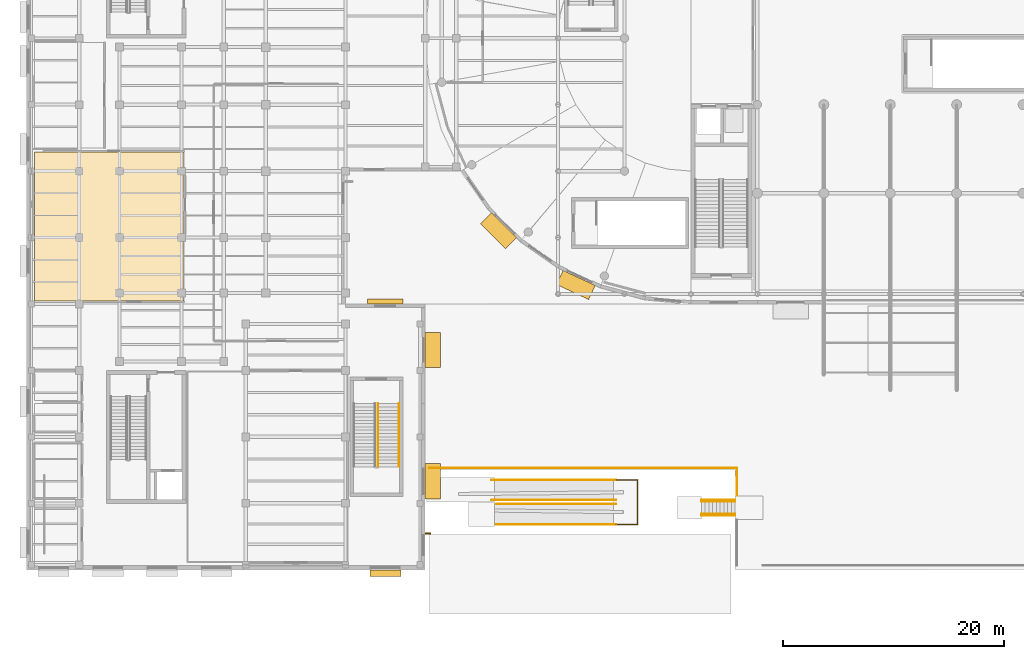
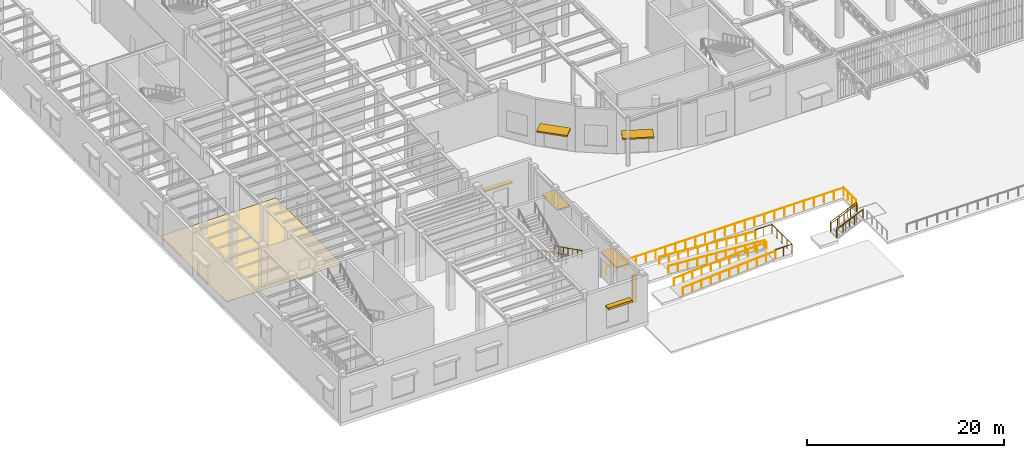
# One storey, part 100 of 118: 12 railings, 7 shading devices, 1 covering, 2 elements without a shape of their own.
"""IFC4 building model written with IfcOpenShell, lengths in metres."""

from ifc_helpers import new_model, si_unit, direction, frame, origin, origin_2d, place, context, subcontext, project, spatial, polyline, rectangle, circle, outline, extrude, material, layer, layer_set, type_object, element, aggregate, save


model = new_model("IFC4")

# Units and contexts
model_context = context("Model", 3, precision=1e-05, world=origin(), true_north=direction((0.0, 1.0)))
body_context = subcontext(model_context, "Body", "Model", "MODEL_VIEW")
ifc_project = project(units=[si_unit("LENGTHUNIT", "METRE"), si_unit("AREAUNIT", "SQUARE_METRE"), si_unit("VOLUMEUNIT", "CUBIC_METRE"), si_unit("PLANEANGLEUNIT", "RADIAN"), si_unit("MASSUNIT", "GRAM", prefix="KILO")], contexts=[model_context])

# Site, building, storey
site_placement = place(None, origin())
site = spatial("IfcSite", under=ifc_project, at=site_placement, CompositionType="ELEMENT")
building_placement = place(site_placement, origin())
building = spatial("IfcBuilding", under=site, at=building_placement, Name="Kolvaren Corner Interchange", CompositionType="ELEMENT")
storey_placement = place(building_placement, origin())
storey = spatial("IfcBuildingStorey", under=building, at=storey_placement, Name="L01", CompositionType="ELEMENT", Elevation=0.0)

# Covering
ifc_material_1 = material(Name="Polished Niger Delta Granite Terrazzo Flooring", Category="masonry")
ifc_layer = layer(ifc_material_1, 0.030029296875)
ifc_layer_set = layer_set([ifc_layer], Name="Polished Niger Delta Granite Terrazzo Flooring")
covering_type = type_object("IfcCoveringType", Name="COV-FLR-TER30", PredefinedType="FLOORING", material=ifc_layer_set)
covering_placement = place(storey_placement, origin())
element("IfcCovering", 1, at=covering_placement, inside=storey, type_object=covering_type, Name="L01 Transit Convenience Shop Floor Finish", PredefinedType="FLOORING", context=body_context, shape_type="SweptSolid", body=[
    extrude(outline(polyline([(0.72998046875, 24.280029296875), (14.219970703125, 24.280029296875), (14.219970703125, 37.719970703125), (0.72998046875, 37.719970703125), (0.72998046875, 24.280029296875)])), origin(), (0.0, 0.0, 1.0), 0.030029296875),
])

# Railings
ifc_material_2 = material(Name="Hot-Dip Galvanised Steel Guardrail", Category="steel")
railing_type_1 = type_object("IfcRailingType", Name="RLT-PLINTH-GRD1120", PredefinedType="GUARDRAIL", material=ifc_material_2)
railing_1_placement = place(storey_placement, frame((64.179931640625, 6.699951171875, 0.0)))
element("IfcRailing", 2, at=railing_1_placement, inside=storey, type_object=railing_type_1, Name="Southwest Ramp Cutout North Plinth Guardrail", PredefinedType="GUARDRAIL", context=body_context, shape_type="SweptSolid", body=[
    extrude(circle(Radius=0.02392578125, at=origin_2d()), frame((0.0, 0.0, 1.09619140625), z_axis=(0.0, 1.0, 0.0), x_axis=(-1.0, 0.0, 0.0)), (0.0, 0.0, 1.0), 2.47998046875),
    extrude(circle(Radius=0.02392578125, at=origin_2d()), frame((0.0, 2.47998046875, 1.09619140625), z_axis=(-1.0, 0.0, 0.0), x_axis=(0.0, -1.0, 0.0)), (0.0, 0.0, 1.0), 27.780029296875),
    extrude(circle(Radius=0.02099609375, at=origin_2d()), origin(), (0.0, 0.0, 1.0), 1.072021484375),
    extrude(circle(Radius=0.02099609375, at=origin_2d()), frame((0.0, 0.82666015625, 0.0)), (0.0, 0.0, 1.0), 1.072021484375),
    extrude(circle(Radius=0.02099609375, at=origin_2d()), frame((0.0, 1.6533203125, 0.0)), (0.0, 0.0, 1.0), 1.072021484375),
    extrude(circle(Radius=0.02099609375, at=origin_2d()), frame((0.0, 2.47998046875, 0.0)), (0.0, 0.0, 1.0), 1.072021484375),
    extrude(circle(Radius=0.02099609375, at=origin_2d()), frame((-1.157470703125, 2.47998046875, 0.0)), (0.0, 0.0, 1.0), 1.072021484375),
    extrude(circle(Radius=0.02099609375, at=origin_2d()), frame((-2.31494140625, 2.47998046875, 0.0)), (0.0, 0.0, 1.0), 1.072021484375),
    extrude(circle(Radius=0.02099609375, at=origin_2d()), frame((-3.472412109375, 2.47998046875, 0.0)), (0.0, 0.0, 1.0), 1.072021484375),
    extrude(circle(Radius=0.02099609375, at=origin_2d()), frame((-4.6298828125, 2.47998046875, 0.0)), (0.0, 0.0, 1.0), 1.072021484375),
    extrude(circle(Radius=0.02099609375, at=origin_2d()), frame((-5.78759765625, 2.47998046875, 0.0)), (0.0, 0.0, 1.0), 1.072021484375),
    extrude(circle(Radius=0.02099609375, at=origin_2d()), frame((-6.945068359375, 2.47998046875, 0.0)), (0.0, 0.0, 1.0), 1.072021484375),
    extrude(circle(Radius=0.02099609375, at=origin_2d()), frame((-8.1025390625, 2.47998046875, 0.0)), (0.0, 0.0, 1.0), 1.072021484375),
    extrude(circle(Radius=0.02099609375, at=origin_2d()), frame((-9.260009765625, 2.47998046875, 0.0)), (0.0, 0.0, 1.0), 1.072021484375),
    extrude(circle(Radius=0.02099609375, at=origin_2d()), frame((-10.41748046875, 2.47998046875, 0.0)), (0.0, 0.0, 1.0), 1.072021484375),
    extrude(circle(Radius=0.02099609375, at=origin_2d()), frame((-11.574951171875, 2.47998046875, 0.0)), (0.0, 0.0, 1.0), 1.072021484375),
    extrude(circle(Radius=0.02099609375, at=origin_2d()), frame((-12.732421875, 2.47998046875, 0.0)), (0.0, 0.0, 1.0), 1.072021484375),
    extrude(circle(Radius=0.02099609375, at=origin_2d()), frame((-13.89013671875, 2.47998046875, 0.0)), (0.0, 0.0, 1.0), 1.072021484375),
    extrude(circle(Radius=0.02099609375, at=origin_2d()), frame((-15.047607421875, 2.47998046875, 0.0)), (0.0, 0.0, 1.0), 1.072021484375),
    extrude(circle(Radius=0.02099609375, at=origin_2d()), frame((-16.205078125, 2.47998046875, 0.0)), (0.0, 0.0, 1.0), 1.072021484375),
    extrude(circle(Radius=0.02099609375, at=origin_2d()), frame((-17.362548828125, 2.47998046875, 0.0)), (0.0, 0.0, 1.0), 1.072021484375),
    extrude(circle(Radius=0.02099609375, at=origin_2d()), frame((-18.52001953125, 2.47998046875, 0.0)), (0.0, 0.0, 1.0), 1.072021484375),
    extrude(circle(Radius=0.02099609375, at=origin_2d()), frame((-19.677490234375, 2.47998046875, 0.0)), (0.0, 0.0, 1.0), 1.072021484375),
    extrude(circle(Radius=0.02099609375, at=origin_2d()), frame((-20.8349609375, 2.47998046875, 0.0)), (0.0, 0.0, 1.0), 1.072021484375),
    extrude(circle(Radius=0.02099609375, at=origin_2d()), frame((-21.992431640625, 2.47998046875, 0.0)), (0.0, 0.0, 1.0), 1.072021484375),
    extrude(circle(Radius=0.02099609375, at=origin_2d()), frame((-23.14990234375, 2.47998046875, 0.0)), (0.0, 0.0, 1.0), 1.072021484375),
    extrude(circle(Radius=0.02099609375, at=origin_2d()), frame((-24.3076171875, 2.47998046875, 0.0)), (0.0, 0.0, 1.0), 1.072021484375),
    extrude(circle(Radius=0.02099609375, at=origin_2d()), frame((-25.465087890625, 2.47998046875, 0.0)), (0.0, 0.0, 1.0), 1.072021484375),
    extrude(circle(Radius=0.02099609375, at=origin_2d()), frame((-26.62255859375, 2.47998046875, 0.0)), (0.0, 0.0, 1.0), 1.072021484375),
    extrude(circle(Radius=0.02099609375, at=origin_2d()), frame((-27.780029296875, 2.47998046875, 0.0)), (0.0, 0.0, 1.0), 1.072021484375),
])
railing_2_placement = place(storey_placement, frame((53.25, 4.080078125, -0.75)))
element("IfcRailing", 3, at=railing_2_placement, inside=storey, type_object=railing_type_1, Name="South Forecourt Accessible Plinth Ramp Intermediate Landing Guardrail", PredefinedType="GUARDRAIL", context=body_context, shape_type="SweptSolid", body=[
    extrude(circle(Radius=0.02392578125, at=origin_2d()), frame((0.0, 0.0, 1.09619140625), z_axis=(1.0, 0.0, 0.0), x_axis=(0.0, 1.0, 0.0)), (0.0, 0.0, 1.0), 1.919921875),
    extrude(circle(Radius=0.02392578125, at=origin_2d()), frame((1.919921875, 0.0, 1.09619140625), z_axis=(0.0, 1.0, 0.0), x_axis=(-1.0, 0.0, 0.0)), (0.0, 0.0, 1.0), 4.0400390625),
    extrude(circle(Radius=0.02392578125, at=origin_2d()), frame((1.919921875, 4.0400390625, 1.09619140625), z_axis=(-1.0, 0.0, 0.0), x_axis=(0.0, -1.0, 0.0)), (0.0, 0.0, 1.0), 1.919921875),
    extrude(circle(Radius=0.02099609375, at=origin_2d()), origin(), (0.0, 0.0, 1.0), 1.072021484375),
    extrude(circle(Radius=0.02099609375, at=origin_2d()), frame((0.9599609375, 0.0, 0.0)), (0.0, 0.0, 1.0), 1.072021484375),
    extrude(circle(Radius=0.02099609375, at=origin_2d()), frame((1.919921875, 0.0, 0.0)), (0.0, 0.0, 1.0), 1.072021484375),
    extrude(circle(Radius=0.02099609375, at=origin_2d()), frame((1.919921875, 1.010009765625, 0.0)), (0.0, 0.0, 1.0), 1.072021484375),
    extrude(circle(Radius=0.02099609375, at=origin_2d()), frame((1.919921875, 2.02001953125, 0.0)), (0.0, 0.0, 1.0), 1.072021484375),
    extrude(circle(Radius=0.02099609375, at=origin_2d()), frame((1.919921875, 3.030029296875, 0.0)), (0.0, 0.0, 1.0), 1.072021484375),
    extrude(circle(Radius=0.02099609375, at=origin_2d()), frame((1.919921875, 4.0400390625, 0.0)), (0.0, 0.0, 1.0), 1.072021484375),
    extrude(circle(Radius=0.02099609375, at=origin_2d()), frame((0.9599609375, 4.0400390625, 0.0)), (0.0, 0.0, 1.0), 1.072021484375),
    extrude(circle(Radius=0.02099609375, at=origin_2d()), frame((0.0, 4.0400390625, 0.0)), (0.0, 0.0, 1.0), 1.072021484375),
])

# Stair, railings
ifc_material_3 = material(Name="Concrete C35/45", Category="concrete")
stair_type_1 = type_object("IfcStairType", Name="ST-CIV-1500", PredefinedType="STRAIGHT_RUN_STAIR", material=ifc_material_3)
stair_1_placement = place(storey_placement, origin())
stair_1 = element("IfcStair", 4, at=stair_1_placement, inside=storey, type_object=stair_type_1, Name="Southwest Forecourt Civic Plinth Steps", PredefinedType="STRAIGHT_RUN_STAIR")
railing_3_placement = place(storey_placement, frame((60.93994140625, 4.919921875, -1.35009765625)))
railing_3 = element("IfcRailing", 5, at=railing_3_placement, type_object=railing_type_1, Name="Southwest Forecourt Civic Plinth Steps South Cheek Guardrail", PredefinedType="GUARDRAIL", context=body_context, shape_type="SweptSolid", body=[
    extrude(circle(Radius=0.02392578125, at=origin_2d()), frame((0.0, 0.0, 1.09619140625), z_axis=(0.914909872985, 0.0, 0.403658177565), x_axis=(0.0, 1.0, 0.0)), (0.0, 0.0, 1.0), 3.3447265625),
    extrude(circle(Radius=0.02099609375, at=origin_2d()), origin(), (0.0, 0.0, 1.0), 1.072021484375),
    extrude(circle(Radius=0.02099609375, at=origin_2d()), frame((1.02001953125, 0.0, 0.449951171875)), (0.0, 0.0, 1.0), 1.072021484375),
    extrude(circle(Radius=0.02099609375, at=origin_2d()), frame((2.0400390625, 0.0, 0.900146484375)), (0.0, 0.0, 1.0), 1.072021484375),
    extrude(circle(Radius=0.02099609375, at=origin_2d()), frame((3.06005859375, 0.0, 1.35009765625)), (0.0, 0.0, 1.0), 1.072021484375),
])
railing_4_placement = place(storey_placement, frame((60.93994140625, 6.280029296875, -1.35009765625)))
railing_4 = element("IfcRailing", 6, at=railing_4_placement, type_object=railing_type_1, Name="Southwest Forecourt Civic Plinth Steps North Cheek Guardrail", PredefinedType="GUARDRAIL", context=body_context, shape_type="SweptSolid", body=[
    extrude(circle(Radius=0.02392578125, at=origin_2d()), frame((0.0, 0.0, 1.09619140625), z_axis=(0.914909872985, 0.0, 0.403658177565), x_axis=(0.0, 1.0, 0.0)), (0.0, 0.0, 1.0), 3.3447265625),
    extrude(circle(Radius=0.02099609375, at=origin_2d()), origin(), (0.0, 0.0, 1.0), 1.072021484375),
    extrude(circle(Radius=0.02099609375, at=origin_2d()), frame((1.02001953125, 0.0, 0.449951171875)), (0.0, 0.0, 1.0), 1.072021484375),
    extrude(circle(Radius=0.02099609375, at=origin_2d()), frame((2.0400390625, 0.0, 0.900146484375)), (0.0, 0.0, 1.0), 1.072021484375),
    extrude(circle(Radius=0.02099609375, at=origin_2d()), frame((3.06005859375, 0.0, 1.35009765625)), (0.0, 0.0, 1.0), 1.072021484375),
])

# Railings
ifc_material_4 = material(Name="Brushed Stainless Steel Accessible Handrail", Category="steel")
railing_type_2 = type_object("IfcRailingType", Name="RLT-RAMP-HR950", PredefinedType="HANDRAIL", material=ifc_material_4)
for number, where, name in (
    (7, (42.449951171875, 4.080078125, -1.469970703125), "South Forecourt Accessible Plinth Ramp Lower South Handrail"),
    (8, (42.449951171875, 5.919921875, -1.469970703125), "South Forecourt Accessible Plinth Ramp Lower North Handrail"),
):
    element("IfcRailing", number, at=place(storey_placement, frame(where)), inside=storey, type_object=railing_type_2, Name=name, PredefinedType="HANDRAIL", context=body_context, shape_type="SweptSolid", body=[
        extrude(circle(Radius=0.0224609375, at=origin_2d()), frame((0.0, 0.0, 0.927490234375), z_axis=(0.997785357458, 0.0, 0.066516016437), x_axis=(0.0, 1.0, 0.0)), (0.0, 0.0, 1.0), 10.823974609375),
        extrude(circle(Radius=0.01904296875, at=origin_2d()), origin(), (0.0, 0.0, 1.0), 0.905029296875),
        extrude(circle(Radius=0.01904296875, at=origin_2d()), frame((1.080078125, 0.0, 0.072021484375)), (0.0, 0.0, 1.0), 0.905029296875),
        extrude(circle(Radius=0.01904296875, at=origin_2d()), frame((2.159912109375, 0.0, 0.14404296875)), (0.0, 0.0, 1.0), 0.905029296875),
        extrude(circle(Radius=0.01904296875, at=origin_2d()), frame((3.239990234375, 0.0, 0.216064453125)), (0.0, 0.0, 1.0), 0.905029296875),
        extrude(circle(Radius=0.01904296875, at=origin_2d()), frame((4.320068359375, 0.0, 0.2880859375)), (0.0, 0.0, 1.0), 0.905029296875),
        extrude(circle(Radius=0.01904296875, at=origin_2d()), frame((5.39990234375, 0.0, 0.35986328125)), (0.0, 0.0, 1.0), 0.905029296875),
        extrude(circle(Radius=0.01904296875, at=origin_2d()), frame((6.47998046875, 0.0, 0.431884765625)), (0.0, 0.0, 1.0), 0.905029296875),
        extrude(circle(Radius=0.01904296875, at=origin_2d()), frame((7.56005859375, 0.0, 0.50390625)), (0.0, 0.0, 1.0), 0.905029296875),
        extrude(circle(Radius=0.01904296875, at=origin_2d()), frame((8.64013671875, 0.0, 0.575927734375)), (0.0, 0.0, 1.0), 0.905029296875),
        extrude(circle(Radius=0.01904296875, at=origin_2d()), frame((9.719970703125, 0.0, 0.64794921875)), (0.0, 0.0, 1.0), 0.905029296875),
        extrude(circle(Radius=0.01904296875, at=origin_2d()), frame((10.800048828125, 0.0, 0.719970703125)), (0.0, 0.0, 1.0), 0.905029296875),
    ])
for number, where, name in (
    (9, (53.25, 6.280029296875, -0.75), "South Forecourt Accessible Plinth Ramp Upper South Handrail"),
    (10, (53.25, 8.1201171875, -0.75), "South Forecourt Accessible Plinth Ramp Upper North Handrail"),
):
    element("IfcRailing", number, at=place(storey_placement, frame(where)), inside=storey, type_object=railing_type_2, Name=name, PredefinedType="HANDRAIL", context=body_context, shape_type="SweptSolid", body=[
        extrude(circle(Radius=0.0224609375, at=origin_2d()), frame((0.0, 0.0, 0.927490234375), z_axis=(-0.997785157857, 0.0, 0.066519010524), x_axis=(0.0, -1.0, 0.0)), (0.0, 0.0, 1.0), 11.27490234375),
        extrude(circle(Radius=0.01904296875, at=origin_2d()), origin(), (0.0, 0.0, 1.0), 0.905029296875),
        extrude(circle(Radius=0.01904296875, at=origin_2d()), frame((-1.125, 0.0, 0.074951171875)), (0.0, 0.0, 1.0), 0.905029296875),
        extrude(circle(Radius=0.01904296875, at=origin_2d()), frame((-2.25, 0.0, 0.14990234375)), (0.0, 0.0, 1.0), 0.905029296875),
        extrude(circle(Radius=0.01904296875, at=origin_2d()), frame((-3.375, 0.0, 0.22509765625)), (0.0, 0.0, 1.0), 0.905029296875),
        extrude(circle(Radius=0.01904296875, at=origin_2d()), frame((-4.5, 0.0, 0.300048828125)), (0.0, 0.0, 1.0), 0.905029296875),
        extrude(circle(Radius=0.01904296875, at=origin_2d()), frame((-5.625, 0.0, 0.375)), (0.0, 0.0, 1.0), 0.905029296875),
        extrude(circle(Radius=0.01904296875, at=origin_2d()), frame((-6.75, 0.0, 0.449951171875)), (0.0, 0.0, 1.0), 0.905029296875),
        extrude(circle(Radius=0.01904296875, at=origin_2d()), frame((-7.875, 0.0, 0.52490234375)), (0.0, 0.0, 1.0), 0.905029296875),
        extrude(circle(Radius=0.01904296875, at=origin_2d()), frame((-9.0, 0.0, 0.60009765625)), (0.0, 0.0, 1.0), 0.905029296875),
        extrude(circle(Radius=0.01904296875, at=origin_2d()), frame((-10.125, 0.0, 0.675048828125)), (0.0, 0.0, 1.0), 0.905029296875),
        extrude(circle(Radius=0.01904296875, at=origin_2d()), frame((-11.25, 0.0, 0.75)), (0.0, 0.0, 1.0), 0.905029296875),
    ])

# Stair, railings
ifc_material_5 = material(Name="Concrete C35/45", Category="concrete")
stair_type_2 = type_object("IfcStairType", Name="ST-GL-2000", PredefinedType="HALF_TURN_STAIR", material=ifc_material_5)
stair_2_placement = place(storey_placement, origin())
stair_2 = element("IfcStair", 11, at=stair_2_placement, inside=storey, type_object=stair_type_2, Name="Operations South Bar Protected Exit Stair L01 to L02 Stair", PredefinedType="HALF_TURN_STAIR")
ifc_material_6 = material(Name="Powder-Coated Steel Stairwell Guardrail", Category="steel")
railing_type_3 = type_object("IfcRailingType", Name="RLT-STAIR-GRD1120", PredefinedType="GUARDRAIL", material=ifc_material_6)
railing_5_placement = place(storey_placement, frame((31.75, 15.0, 0.14990234375)))
railing_5 = element("IfcRailing", 12, at=railing_5_placement, type_object=railing_type_3, Name="Operations South Bar Protected Exit Stair L01 Lower Flight Well Guardrail", PredefinedType="GUARDRAIL", context=body_context, shape_type="SweptSolid", body=[
    extrude(circle(Radius=0.02392578125, at=origin_2d()), frame((0.0, 0.0, 1.09619140625), z_axis=(0.0, -0.894419528903, 0.447228919365), x_axis=(1.0, 0.0, 0.0)), (0.0, 0.0, 1.0), 6.372802734375),
    extrude(circle(Radius=0.02001953125, at=origin_2d()), origin(), (0.0, 0.0, 1.0), 1.072021484375),
    extrude(circle(Radius=0.02001953125, at=origin_2d()), frame((0.0, -0.814208984375, 0.4072265625)), (0.0, 0.0, 1.0), 1.072021484375),
    extrude(circle(Radius=0.02001953125, at=origin_2d()), frame((0.0, -1.628662109375, 0.814208984375)), (0.0, 0.0, 1.0), 1.072021484375),
    extrude(circle(Radius=0.02001953125, at=origin_2d()), frame((0.0, -2.44287109375, 1.221435546875)), (0.0, 0.0, 1.0), 1.072021484375),
    extrude(circle(Radius=0.02001953125, at=origin_2d()), frame((0.0, -3.257080078125, 1.628662109375)), (0.0, 0.0, 1.0), 1.072021484375),
    extrude(circle(Radius=0.02001953125, at=origin_2d()), frame((0.0, -4.0712890625, 2.035888671875)), (0.0, 0.0, 1.0), 1.072021484375),
    extrude(circle(Radius=0.02001953125, at=origin_2d()), frame((0.0, -4.8857421875, 2.44287109375)), (0.0, 0.0, 1.0), 1.072021484375),
    extrude(circle(Radius=0.02001953125, at=origin_2d()), frame((0.0, -5.699951171875, 2.85009765625)), (0.0, 0.0, 1.0), 1.072021484375),
])
ifc_material_7 = material(Name="Brushed Stainless Steel Stair Handrail", Category="steel")
railing_type_4 = type_object("IfcRailingType", Name="RLT-STAIR-HR950", PredefinedType="HANDRAIL", material=ifc_material_7)
railing_6_placement = place(storey_placement, frame((33.639892578125, 15.0, 0.14990234375)))
railing_6 = element("IfcRailing", 13, at=railing_6_placement, type_object=railing_type_4, Name="Operations South Bar Protected Exit Stair L01 Lower Flight Wall Handrail", PredefinedType="HANDRAIL", context=body_context, shape_type="SweptSolid", body=[
    extrude(circle(Radius=0.02197265625, at=origin_2d()), frame((0.0, 0.0, 0.927978515625), z_axis=(0.0, -0.894419528903, 0.447228919365), x_axis=(1.0, 0.0, 0.0)), (0.0, 0.0, 1.0), 6.372802734375),
    extrude(circle(Radius=0.01806640625, at=origin_2d()), origin(), (0.0, 0.0, 1.0), 0.906005859375),
    extrude(circle(Radius=0.01806640625, at=origin_2d()), frame((0.0, -0.949951171875, 0.47509765625)), (0.0, 0.0, 1.0), 0.906005859375),
    extrude(circle(Radius=0.01806640625, at=origin_2d()), frame((0.0, -1.89990234375, 0.949951171875)), (0.0, 0.0, 1.0), 0.906005859375),
    extrude(circle(Radius=0.01806640625, at=origin_2d()), frame((0.0, -2.85009765625, 1.425048828125)), (0.0, 0.0, 1.0), 0.906005859375),
    extrude(circle(Radius=0.01806640625, at=origin_2d()), frame((0.0, -3.800048828125, 1.900146484375)), (0.0, 0.0, 1.0), 0.906005859375),
    extrude(circle(Radius=0.01806640625, at=origin_2d()), frame((0.0, -4.75, 2.375)), (0.0, 0.0, 1.0), 0.906005859375),
    extrude(circle(Radius=0.01806640625, at=origin_2d()), frame((0.0, -5.699951171875, 2.85009765625)), (0.0, 0.0, 1.0), 0.906005859375),
])
aggregate(stair_2, [railing_5, railing_6])

# Railing
railing_7_placement = place(storey_placement, frame((60.93994140625, 5.01513671875, -1.35009765625)))
railing_7 = element("IfcRailing", 14, at=railing_7_placement, type_object=railing_type_4, Name="Southwest Forecourt Civic Plinth Steps South Handrail", PredefinedType="HANDRAIL", context=body_context, shape_type="SweptSolid", body=[
    extrude(circle(Radius=0.02197265625, at=origin_2d()), frame((0.0, 0.0, 0.927978515625), z_axis=(0.914909872985, 0.0, 0.403658177565), x_axis=(0.0, 1.0, 0.0)), (0.0, 0.0, 1.0), 3.3447265625),
    extrude(circle(Radius=0.01806640625, at=origin_2d()), origin(), (0.0, 0.0, 1.0), 0.906005859375),
    extrude(circle(Radius=0.01806640625, at=origin_2d()), frame((0.76513671875, 0.0, 0.33740234375)), (0.0, 0.0, 1.0), 0.906005859375),
    extrude(circle(Radius=0.01806640625, at=origin_2d()), frame((1.530029296875, 0.0, 0.675048828125)), (0.0, 0.0, 1.0), 0.906005859375),
    extrude(circle(Radius=0.01806640625, at=origin_2d()), frame((2.294921875, 0.0, 1.0126953125)), (0.0, 0.0, 1.0), 0.906005859375),
    extrude(circle(Radius=0.01806640625, at=origin_2d()), frame((3.06005859375, 0.0, 1.35009765625)), (0.0, 0.0, 1.0), 0.906005859375),
])

railing_8_placement = place(storey_placement, frame((60.93994140625, 6.184814453125, -1.35009765625)))
railing_8 = element("IfcRailing", 15, at=railing_8_placement, type_object=railing_type_4, Name="Southwest Forecourt Civic Plinth Steps North Handrail", PredefinedType="HANDRAIL", context=body_context, shape_type="SweptSolid", body=[
    extrude(circle(Radius=0.02197265625, at=origin_2d()), frame((0.0, 0.0, 0.927978515625), z_axis=(0.914909872985, 0.0, 0.403658177565), x_axis=(0.0, 1.0, 0.0)), (0.0, 0.0, 1.0), 3.3447265625),
    extrude(circle(Radius=0.01806640625, at=origin_2d()), origin(), (0.0, 0.0, 1.0), 0.906005859375),
    extrude(circle(Radius=0.01806640625, at=origin_2d()), frame((0.76513671875, 0.0, 0.33740234375)), (0.0, 0.0, 1.0), 0.906005859375),
    extrude(circle(Radius=0.01806640625, at=origin_2d()), frame((1.530029296875, 0.0, 0.675048828125)), (0.0, 0.0, 1.0), 0.906005859375),
    extrude(circle(Radius=0.01806640625, at=origin_2d()), frame((2.294921875, 0.0, 1.0126953125)), (0.0, 0.0, 1.0), 0.906005859375),
    extrude(circle(Radius=0.01806640625, at=origin_2d()), frame((3.06005859375, 0.0, 1.35009765625)), (0.0, 0.0, 1.0), 0.906005859375),
])

aggregate(stair_1, [railing_3, railing_7, railing_4, railing_8])

# Shading devices
ifc_material_8 = material(Name="Glazed Ochre Ceramic Baguette Solar Louvre")
shading_device_type_1 = type_object("IfcShadingDeviceType", Name="SHD-BAG-H450", PredefinedType="JALOUSIE", material=ifc_material_8)
shading_device_1_placement = place(storey_placement, frame((32.39990234375, 24.215087890625, 3.2001953125), z_axis=(0.0, 0.0, 1.0), x_axis=(-1.0, 0.0, 0.0)))
element("IfcShadingDevice", 16, at=shading_device_1_placement, inside=storey, type_object=shading_device_type_1, Name="L01 Ceramic Solar Shading 0007", PredefinedType="JALOUSIE", context=body_context, shape_type="SweptSolid", body=[
    extrude(rectangle(XDim=3.199951171875, YDim=0.449951171875, at=origin_2d()), origin(), (0.0, 0.0, 1.0), 0.219970703125),
])
ifc_material_9 = material(Name="Cream Ceramic Baguette Brise-Soleil")
shading_device_type_2 = type_object("IfcShadingDeviceType", Name="SHD-BAG-H600", PredefinedType="JALOUSIE", material=ifc_material_9)
shading_device_2_placement = place(storey_placement, frame((32.39990234375, -0.300048828125, 3.47998046875), z_axis=(0.0, 0.0, 1.0), x_axis=(1.0, 0.0, 0.0)))
element("IfcShadingDevice", 17, at=shading_device_2_placement, inside=storey, type_object=shading_device_type_2, Name="L01 Ceramic Solar Shading 0005", PredefinedType="JALOUSIE", context=body_context, shape_type="SweptSolid", body=[
    extrude(rectangle(XDim=2.800048828125, YDim=0.60009765625, at=origin_2d()), origin(), (0.0, 0.0, 1.0), 0.260009765625),
])
ifc_material_10 = material(Name="Anodised Aluminium Entrance Rain Canopy", Category="aluminium")
shading_device_type_3 = type_object("IfcShadingDeviceType", Name="SHD-CAN-1400", PredefinedType="AWNING", material=ifc_material_10)
for number, where, z_axis, x_axis, name in (
    (18, (36.68994140625, 7.97509765625, 2.64013671875), (0.0, 0.0, 1.0), (0.0, 1.0, 0.0), "Entrance Monsoon Rain Canopy 001"),
    (19, (36.68994140625, 19.843994140625, 2.580078125), (0.0, 0.0, 1.0), (0.0, 1.0, 0.0), "Entrance Monsoon Rain Canopy 002"),
    (20, (42.6162109375, 30.6162109375, 2.66015625), (0.0, 0.0, 1.0), (0.707106781187, -0.707106781187, 0.0), "Entrance Monsoon Rain Canopy 012"),
    (21, (49.610107421875, 25.718994140625, 2.66015625), (0.0, 0.0, 1.0), (0.906307787037, -0.422618261741, 0.0), "Entrance Monsoon Rain Canopy 013"),
):
    element("IfcShadingDevice", number, at=place(storey_placement, frame(where, z_axis=z_axis, x_axis=x_axis)), inside=storey, type_object=shading_device_type_3, Name=name, PredefinedType="AWNING", context=body_context, shape_type="SweptSolid", body=[
        extrude(rectangle(XDim=3.199951171875, YDim=1.39990234375, at=origin_2d()), origin(), (0.0, 0.0, 1.0), 0.179931640625),
    ])
ifc_material_11 = material(Name="Vertical Terracotta Solar Fin", Category="masonry")
shading_device_type_4 = type_object("IfcShadingDeviceType", Name="SHD-FIN-V500", PredefinedType="USERDEFINED", material=ifc_material_11)
shading_device_3_placement = place(storey_placement, frame((36.239990234375, 3.25439453125, 0.295166015625), z_axis=(0.0, 0.0, 1.0), x_axis=(0.0, 1.0, 0.0)))
element("IfcShadingDevice", 22, at=shading_device_3_placement, inside=storey, type_object=shading_device_type_4, Name="L01 Ceramic Solar Shading 0006", ObjectType="SUNSHADE", PredefinedType="USERDEFINED", context=body_context, shape_type="SweptSolid", body=[
    extrude(rectangle(XDim=0.139892578125, YDim=0.5, at=origin_2d()), origin(), (0.0, 0.0, 1.0), 3.39990234375),
])

save(model, "model.ifc")
